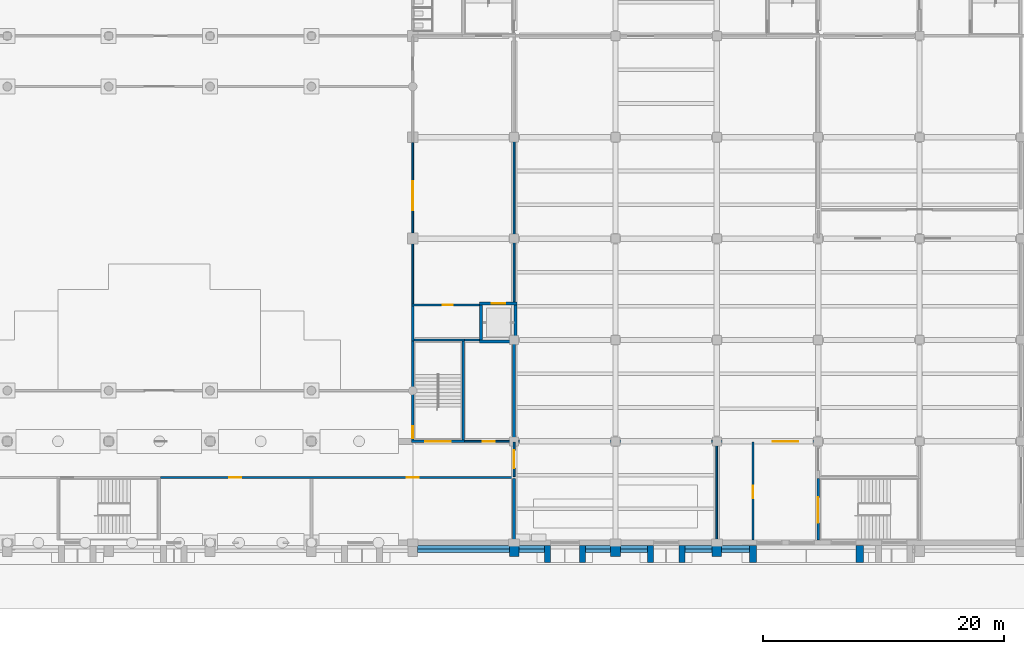
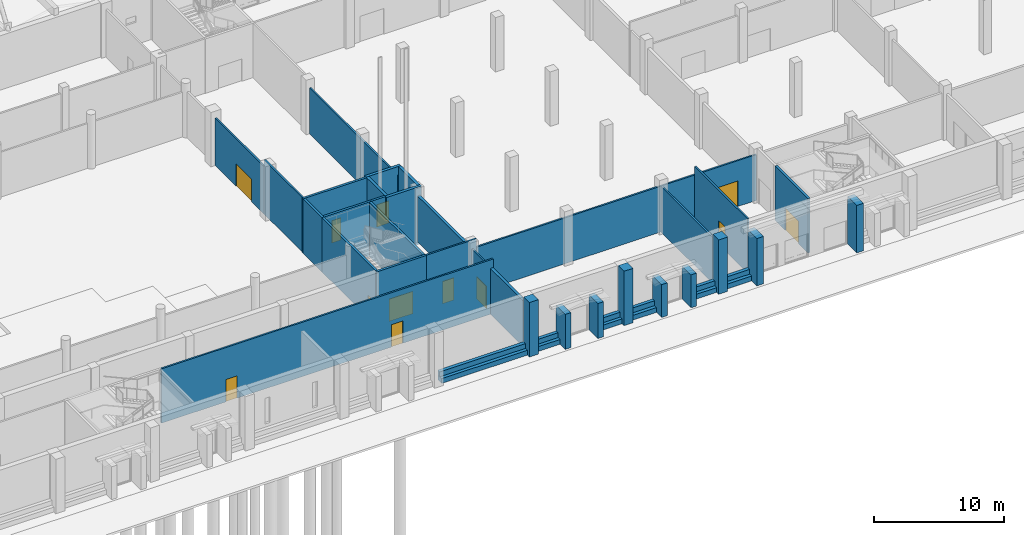
# One storey, part 29 of 74: 44 walls, 12 doors, 12 openings.
"""IFC4 building model written with IfcOpenShell, lengths in metres."""

from ifc_helpers import new_model, si_unit, direction, frame, frame_2d, origin, place, context, subcontext, project, spatial, rectangle, extrude, material, layer, layer_set, type_object, element, fill, save


model = new_model("IFC4")

# Units and contexts
model_context = context("Model", 3, precision=1e-05, world=origin(), true_north=direction((0.0, 1.0)))
body_context = subcontext(model_context, "Body", "Model", "MODEL_VIEW")
ifc_project = project(units=[si_unit("LENGTHUNIT", "METRE"), si_unit("AREAUNIT", "SQUARE_METRE"), si_unit("VOLUMEUNIT", "CUBIC_METRE"), si_unit("PLANEANGLEUNIT", "RADIAN"), si_unit("MASSUNIT", "GRAM", prefix="KILO")], contexts=[model_context])

# Site, building, storey
site_placement = place(None, origin())
site = spatial("IfcSite", under=ifc_project, at=site_placement, CompositionType="ELEMENT")
building_placement = place(site_placement, origin())
building = spatial("IfcBuilding", under=site, at=building_placement, Name="Rulbaag Community and Learning Centre", CompositionType="ELEMENT")
storey_placement = place(building_placement, origin())
storey = spatial("IfcBuildingStorey", under=building, at=storey_placement, Name="L00", CompositionType="ELEMENT", Elevation=0.0)

# Walls
ifc_material_1 = material(Name="Concrete M30", Category="concrete")
ifc_layer_1 = layer(ifc_material_1, 0.25)
ifc_layer_set_1 = layer_set([ifc_layer_1], Name="CW-250 COMPARTMENT WALL 250")
wall_type_1 = type_object("IfcWallType", Name="CW-250 COMPARTMENT WALL 250", PredefinedType="SOLIDWALL", material=ifc_layer_set_1)
wall_1_placement = place(storey_placement, frame((92.39990234375, 0.22509765625, 0.0), z_axis=(0.0, 0.0, 1.0), x_axis=(0.0, 1.0, 0.0)))
element("IfcWall", 1, at=wall_1_placement, inside=storey, type_object=wall_type_1, Name="Fire wall L00 78", PredefinedType="SOLIDWALL", context=body_context, shape_type="SweptSolid", body=[
    extrude(rectangle(XDim=5.099853515625, YDim=0.25, at=frame_2d((2.5498046875, 0.0))), origin(), (0.0, 0.0, 1.0), 4.300048828125),
])
wall_2_placement = place(storey_placement, frame((92.39990234375, 8.47509765625, 0.0), z_axis=(0.0, 0.0, 1.0), x_axis=(0.0, 1.0, 0.0)))
element("IfcWall", 2, at=wall_2_placement, inside=storey, type_object=wall_type_1, Name="Fire wall L00 80", PredefinedType="SOLIDWALL", context=body_context, shape_type="SweptSolid", body=[
    extrude(rectangle(XDim=8.324951171875, YDim=0.25, at=frame_2d((4.16259765625, 0.0))), origin(), (0.0, 0.0, 1.0), 4.300048828125),
])
ifc_material_2 = material(Name="Concrete M40", Category="concrete")
ifc_layer_2 = layer(ifc_material_2, 0.800048828125)
ifc_layer_set_2 = layer_set([ifc_layer_2], Name="EW-BTR")
wall_type_2 = type_object("IfcWallType", Name="EW-BTR", PredefinedType="SOLIDWALL", material=ifc_layer_set_2)
for number, where, z_axis, x_axis, name in (
    (3, (92.39990234375, -0.22509765625, 0.0), (0.0, 0.0, 1.0), (0.0, -1.0, 0.0), "Buttress pier"),
    (4, (100.800048828125, -0.22509765625, 0.0), (0.0, 0.0, 1.0), (0.0, -1.0, 0.0), "Buttress pier"),
    (5, (109.199951171875, -0.22509765625, 0.0), (0.0, 0.0, 1.0), (0.0, -1.0, 0.0), "Buttress pier"),
):
    element("IfcWall", number, at=place(storey_placement, frame(where, z_axis=z_axis, x_axis=x_axis)), inside=storey, type_object=wall_type_2, Name=name, PredefinedType="SOLIDWALL", context=body_context, shape_type="SweptSolid", body=[
        extrude(rectangle(XDim=0.89990234375, YDim=0.800048828125, at=frame_2d((0.449951171875, 0.0))), origin(), (0.0, 0.0, 1.0), 5.10009765625),
    ])
ifc_layer_3 = layer(ifc_material_2, 0.60009765625)
ifc_layer_set_3 = layer_set([ifc_layer_3], Name="EW-PJB10")
wall_type_3 = type_object("IfcWallType", Name="EW-PJB10", PredefinedType="SOLIDWALL", material=ifc_layer_set_3)
for number, where, z_axis, x_axis, name in (
    (6, (112.199951171875, -0.22509765625, 0.0), (0.0, 0.0, 1.0), (0.0, -1.0, 0.0), "Portal jamb"),
    (7, (121.050048828125, -0.22509765625, 0.0), (0.0, 0.0, 1.0), (0.0, -1.0, 0.0), "Portal jamb"),
):
    element("IfcWall", number, at=place(storey_placement, frame(where, z_axis=z_axis, x_axis=x_axis)), inside=storey, type_object=wall_type_3, Name=name, PredefinedType="SOLIDWALL", context=body_context, shape_type="SweptSolid", body=[
        extrude(rectangle(XDim=1.39990234375, YDim=0.60009765625, at=frame_2d((0.699951171875, 0.0))), origin(), (0.0, 0.0, 1.0), 4.449951171875),
    ])
ifc_layer_4 = layer(ifc_material_2, 0.5)
ifc_layer_set_4 = layer_set([ifc_layer_4], Name="EW-PJB5")
wall_type_4 = type_object("IfcWallType", Name="EW-PJB5", PredefinedType="SOLIDWALL", material=ifc_layer_set_4)
for number, where, z_axis, x_axis, name in (
    (8, (95.14990234375, -0.22509765625, 0.0), (0.0, 0.0, 1.0), (0.0, -1.0, 0.0), "Portal jamb"),
    (9, (98.050048828125, -0.22509765625, 0.0), (0.0, 0.0, 1.0), (0.0, -1.0, 0.0), "Portal jamb"),
):
    element("IfcWall", number, at=place(storey_placement, frame(where, z_axis=z_axis, x_axis=x_axis)), inside=storey, type_object=wall_type_4, Name=name, PredefinedType="SOLIDWALL", context=body_context, shape_type="SweptSolid", body=[
        extrude(rectangle(XDim=1.39990234375, YDim=0.5, at=frame_2d((0.699951171875, 0.0))), origin(), (0.0, 0.0, 1.0), 3.280029296875),
    ])
for number, where, z_axis, x_axis, name in (
    (10, (103.699951171875, -0.22509765625, 0.0), (0.0, 0.0, 1.0), (0.0, -1.0, 0.0), "Portal jamb"),
    (11, (106.300048828125, -0.22509765625, 0.0), (0.0, 0.0, 1.0), (0.0, -1.0, 0.0), "Portal jamb"),
):
    element("IfcWall", number, at=place(storey_placement, frame(where, z_axis=z_axis, x_axis=x_axis)), inside=storey, type_object=wall_type_4, Name=name, PredefinedType="SOLIDWALL", context=body_context, shape_type="SweptSolid", body=[
        extrude(rectangle(XDim=1.39990234375, YDim=0.5, at=frame_2d((0.699951171875, 0.0))), origin(), (0.0, 0.0, 1.0), 3.080078125),
    ])
ifc_layer_5 = layer(ifc_material_2, 0.60009765625)
ifc_layer_set_5 = layer_set([ifc_layer_5], Name="EW-PLN1")
wall_type_5 = type_object("IfcWallType", Name="EW-PLN1", PredefinedType="SOLIDWALL", material=ifc_layer_set_5)
wall_3_placement = place(storey_placement, frame((84.39990234375, -0.52490234375, 0.0), z_axis=(0.0, 0.0, 1.0), x_axis=(1.0, 0.0, 0.0)))
element("IfcWall", 12, at=wall_3_placement, inside=storey, type_object=wall_type_5, Name="Battered plinth", PredefinedType="SOLIDWALL", context=body_context, shape_type="SweptSolid", body=[
    extrude(rectangle(XDim=7.60009765625, YDim=0.60009765625, at=frame_2d((3.800048828125, 0.0))), origin(), (0.0, 0.0, 1.0), 0.449951171875),
])
for number, where, z_axis, x_axis, name in (
    (13, (92.800048828125, -0.52490234375, 0.0), (0.0, 0.0, 1.0), (1.0, 0.0, 0.0), "Battered plinth"),
    (14, (98.300048828125, -0.52490234375, 0.0), (0.0, 0.0, 1.0), (1.0, 0.0, 0.0), "Battered plinth"),
):
    element("IfcWall", number, at=place(storey_placement, frame(where, z_axis=z_axis, x_axis=x_axis)), inside=storey, type_object=wall_type_5, Name=name, PredefinedType="SOLIDWALL", context=body_context, shape_type="SweptSolid", body=[
        extrude(rectangle(XDim=2.099853515625, YDim=0.60009765625, at=frame_2d((1.0498046875, 0.0))), origin(), (0.0, 0.0, 1.0), 0.449951171875),
    ])
for number, where, z_axis, x_axis, name in (
    (15, (101.199951171875, -0.52490234375, 0.0), (0.0, 0.0, 1.0), (1.0, 0.0, 0.0), "Battered plinth"),
    (16, (106.550048828125, -0.52490234375, 0.0), (0.0, 0.0, 1.0), (1.0, 0.0, 0.0), "Battered plinth"),
):
    element("IfcWall", number, at=place(storey_placement, frame(where, z_axis=z_axis, x_axis=x_axis)), inside=storey, type_object=wall_type_5, Name=name, PredefinedType="SOLIDWALL", context=body_context, shape_type="SweptSolid", body=[
        extrude(rectangle(XDim=2.25, YDim=0.60009765625, at=frame_2d((1.125, 0.0))), origin(), (0.0, 0.0, 1.0), 0.449951171875),
    ])
wall_4_placement = place(storey_placement, frame((109.60009765625, -0.52490234375, 0.0), z_axis=(0.0, 0.0, 1.0), x_axis=(1.0, 0.0, 0.0)))
element("IfcWall", 17, at=wall_4_placement, inside=storey, type_object=wall_type_5, Name="Battered plinth", PredefinedType="SOLIDWALL", context=body_context, shape_type="SweptSolid", body=[
    extrude(rectangle(XDim=2.2998046875, YDim=0.60009765625, at=frame_2d((1.14990234375, 0.0))), origin(), (0.0, 0.0, 1.0), 0.449951171875),
])
ifc_layer_6 = layer(ifc_material_2, 0.300048828125)
ifc_layer_set_6 = layer_set([ifc_layer_6], Name="EW-PLN2")
wall_type_6 = type_object("IfcWallType", Name="EW-PLN2", PredefinedType="SOLIDWALL", material=ifc_layer_set_6)
wall_5_placement = place(storey_placement, frame((84.39990234375, -0.375, 0.449951171875), z_axis=(0.0, 0.0, 1.0), x_axis=(1.0, 0.0, 0.0)))
element("IfcWall", 18, at=wall_5_placement, inside=storey, type_object=wall_type_6, Name="Battered plinth", PredefinedType="SOLIDWALL", context=body_context, shape_type="SweptSolid", body=[
    extrude(rectangle(XDim=7.60009765625, YDim=0.300048828125, at=frame_2d((3.800048828125, 0.0))), origin(), (0.0, 0.0, 1.0), 0.449951171875),
])
for number, where, z_axis, x_axis, name in (
    (19, (92.800048828125, -0.375, 0.449951171875), (0.0, 0.0, 1.0), (1.0, 0.0, 0.0), "Battered plinth"),
    (20, (98.300048828125, -0.375, 0.449951171875), (0.0, 0.0, 1.0), (1.0, 0.0, 0.0), "Battered plinth"),
):
    element("IfcWall", number, at=place(storey_placement, frame(where, z_axis=z_axis, x_axis=x_axis)), inside=storey, type_object=wall_type_6, Name=name, PredefinedType="SOLIDWALL", context=body_context, shape_type="SweptSolid", body=[
        extrude(rectangle(XDim=2.099853515625, YDim=0.300048828125, at=frame_2d((1.0498046875, 0.0))), origin(), (0.0, 0.0, 1.0), 0.449951171875),
    ])
for number, where, z_axis, x_axis, name in (
    (21, (101.199951171875, -0.375, 0.449951171875), (0.0, 0.0, 1.0), (1.0, 0.0, 0.0), "Battered plinth"),
    (22, (106.550048828125, -0.375, 0.449951171875), (0.0, 0.0, 1.0), (1.0, 0.0, 0.0), "Battered plinth"),
):
    element("IfcWall", number, at=place(storey_placement, frame(where, z_axis=z_axis, x_axis=x_axis)), inside=storey, type_object=wall_type_6, Name=name, PredefinedType="SOLIDWALL", context=body_context, shape_type="SweptSolid", body=[
        extrude(rectangle(XDim=2.25, YDim=0.300048828125, at=frame_2d((1.125, 0.0))), origin(), (0.0, 0.0, 1.0), 0.449951171875),
    ])
wall_6_placement = place(storey_placement, frame((109.60009765625, -0.375, 0.449951171875), z_axis=(0.0, 0.0, 1.0), x_axis=(1.0, 0.0, 0.0)))
element("IfcWall", 23, at=wall_6_placement, inside=storey, type_object=wall_type_6, Name="Battered plinth", PredefinedType="SOLIDWALL", context=body_context, shape_type="SweptSolid", body=[
    extrude(rectangle(XDim=2.2998046875, YDim=0.300048828125, at=frame_2d((1.14990234375, 0.0))), origin(), (0.0, 0.0, 1.0), 0.449951171875),
])
ifc_material_3 = material(Name="Concrete blockwork", Category="masonry")
ifc_layer_7 = layer(ifc_material_3, 0.199951171875)
ifc_layer_set_7 = layer_set([ifc_layer_7], Name="FW-200 FIRE WALL 200")
wall_type_7 = type_object("IfcWallType", Name="FW-200 FIRE WALL 200", PredefinedType="SOLIDWALL", material=ifc_layer_set_7)
wall_7_placement = place(storey_placement, frame((88.300048828125, 16.800048828125, 0.0), z_axis=(0.0, 0.0, 1.0), x_axis=(1.0, 0.0, 0.0)))
element("IfcWall", 24, at=wall_7_placement, inside=storey, type_object=wall_type_7, Name="Fire wall L00 12", PredefinedType="SOLIDWALL", context=body_context, shape_type="SweptSolid", body=[
    extrude(rectangle(XDim=1.25, YDim=0.199951171875, at=frame_2d((0.625, 0.0))), origin(), (0.0, 0.0, 1.0), 5.10009765625),
])

# Wall, opening, door
wall_8_placement = place(storey_placement, frame((83.89990234375, 19.699951171875, 0.0), z_axis=(0.0, 0.0, 1.0), x_axis=(1.0, 0.0, 0.0)))
wall_8 = element("IfcWall", 25, at=wall_8_placement, inside=storey, type_object=wall_type_7, Name="Fire wall L00 15", PredefinedType="SOLIDWALL", context=body_context, shape_type="SweptSolid", body=[
    extrude(rectangle(XDim=5.650146484375, YDim=0.199951171875, at=frame_2d((2.8251953125, 0.0))), origin(), (0.0, 0.0, 1.0), 5.10009765625),
])
opening_1_placement = place(wall_8_placement, frame((2.60009765625, 0.0, 0.0)))
opening_1 = element("IfcOpeningElement", 26, at=opening_1_placement, cuts=wall_8, Name="Opening L00-D085", PredefinedType="OPENING", context=body_context, shape_type="SweptSolid", body=[
    extrude(rectangle(XDim=0.800048828125, YDim=2.10009765625, at=frame_2d((0.39990234375, 1.050048828125))), frame((0.0, 0.10986328125, 0.0), z_axis=(0.0, -1.0, 0.0), x_axis=(1.0, 0.0, 0.0)), (0.0, 0.0, 1.0), 0.219970703125),
])
ifc_material_4 = material(Name="Galvanised steel", Category="steel")
door_type_1 = type_object("IfcDoorType", Name="FDR-800 RISER FIRE DOOR 800 x 2100", OperationType="SINGLE_SWING_LEFT", PredefinedType="DOOR", material=ifc_material_4)
door_1_placement = place(opening_1_placement, origin())
door_1 = element("IfcDoor", 27, at=door_1_placement, inside=storey, type_object=door_type_1, Name="Riser door L00-D048", OperationType="SINGLE_SWING_RIGHT", OverallHeight=2.10009765625, OverallWidth=0.800048828125, PredefinedType="DOOR", context=body_context, shape_type="SweptSolid", body=[
    extrude(rectangle(XDim=0.800048828125, YDim=2.10009765625, at=frame_2d((0.39990234375, 1.050048828125))), frame((0.0, 0.02490234375, 0.0), z_axis=(0.0, -1.0, 0.0), x_axis=(1.0, 0.0, 0.0)), (0.0, 0.0, 1.0), 0.050048828125),
])
fill(opening_1, door_1)

# Wall
wall_9_placement = place(storey_placement, frame((84.0, 16.699951171875, 0.0), z_axis=(0.0, 0.0, 1.0), x_axis=(0.0, 1.0, 0.0)))
element("IfcWall", 28, at=wall_9_placement, inside=storey, type_object=wall_type_7, Name="Fire wall L00 73", PredefinedType="SOLIDWALL", context=body_context, shape_type="SweptSolid", body=[
    extrude(rectangle(XDim=2.900146484375, YDim=0.199951171875, at=frame_2d((1.4501953125, 0.0))), origin(), (0.0, 0.0, 1.0), 5.10009765625),
])

# Wall, openings, doors
ifc_layer_8 = layer(ifc_material_3, 0.14990234375)
ifc_layer_set_8 = layer_set([ifc_layer_8], Name="IP-150 PARTITION 150")
wall_type_8 = type_object("IfcWallType", Name="IP-150 PARTITION 150", PredefinedType="PARTITIONING", material=ifc_layer_set_8)
wall_10_placement = place(storey_placement, frame((63.10009765625, 5.39990234375, 0.0), z_axis=(0.0, 0.0, 1.0), x_axis=(1.0, 0.0, 0.0)))
wall_10 = element("IfcWall", 29, at=wall_10_placement, inside=storey, type_object=wall_type_8, Name="Partition L00 4", PredefinedType="PARTITIONING", context=body_context, shape_type="SweptSolid", body=[
    extrude(rectangle(XDim=29.4248046875, YDim=0.14990234375, at=frame_2d((14.71240234375, 0.0))), origin(), (0.0, 0.0, 1.0), 5.10009765625),
])
opening_2_placement = place(wall_10_placement, frame((5.699951171875, 0.0, 0.0)))
opening_2 = element("IfcOpeningElement", 30, at=opening_2_placement, cuts=wall_10, Name="Opening L00-D074", PredefinedType="OPENING", context=body_context, shape_type="SweptSolid", body=[
    extrude(rectangle(XDim=1.0, YDim=2.10009765625, at=frame_2d((0.5, 1.050048828125))), frame((0.0, 0.0849609375, 0.0), z_axis=(0.0, -1.0, 0.0), x_axis=(1.0, 0.0, 0.0)), (0.0, 0.0, 1.0), 0.169921875),
])
opening_3_placement = place(wall_10_placement, frame((20.39990234375, 0.0, 0.0)))
opening_3 = element("IfcOpeningElement", 31, at=opening_3_placement, cuts=wall_10, Name="Opening L00-D076", PredefinedType="OPENING", context=body_context, shape_type="SweptSolid", body=[
    extrude(rectangle(XDim=1.0, YDim=2.10009765625, at=frame_2d((0.5, 1.050048828125))), frame((0.0, 0.0849609375, 0.0), z_axis=(0.0, -1.0, 0.0), x_axis=(1.0, 0.0, 0.0)), (0.0, 0.0, 1.0), 0.169921875),
])
ifc_material_5 = material(Name="Timber", Category="wood")
door_type_2 = type_object("IfcDoorType", Name="D-1000 DOOR 1000 x 2100", OperationType="SINGLE_SWING_LEFT", PredefinedType="DOOR", material=ifc_material_5)
door_2_placement = place(opening_2_placement, origin())
door_2 = element("IfcDoor", 32, at=door_2_placement, inside=storey, type_object=door_type_2, Name="Door L00-D074", OperationType="SINGLE_SWING_LEFT", OverallHeight=2.10009765625, OverallWidth=1.0, PredefinedType="DOOR", context=body_context, shape_type="SweptSolid", body=[
    extrude(rectangle(XDim=1.0, YDim=2.10009765625, at=frame_2d((0.5, 1.050048828125))), frame((0.0, 0.02490234375, 0.0), z_axis=(0.0, -1.0, 0.0), x_axis=(1.0, 0.0, 0.0)), (0.0, 0.0, 1.0), 0.050048828125),
])
fill(opening_2, door_2)
door_3_placement = place(opening_3_placement, origin())
door_3 = element("IfcDoor", 33, at=door_3_placement, inside=storey, type_object=door_type_2, Name="Door L00-D076", OperationType="SINGLE_SWING_RIGHT", OverallHeight=2.10009765625, OverallWidth=1.0, PredefinedType="DOOR", context=body_context, shape_type="SweptSolid", body=[
    extrude(rectangle(XDim=1.0, YDim=2.10009765625, at=frame_2d((0.5, 1.050048828125))), frame((0.0, 0.02490234375, 0.0), z_axis=(0.0, -1.0, 0.0), x_axis=(1.0, 0.0, 0.0)), (0.0, 0.0, 1.0), 0.050048828125),
])
fill(opening_3, door_3)

# Wall, opening, door
wall_11_placement = place(storey_placement, frame((88.300048828125, 8.39990234375, 0.0), z_axis=(0.0, 0.0, 1.0), x_axis=(1.0, 0.0, 0.0)))
wall_11 = element("IfcWall", 34, at=wall_11_placement, inside=storey, type_object=wall_type_8, Name="Partition L00 6", PredefinedType="PARTITIONING", context=body_context, shape_type="SweptSolid", body=[
    extrude(rectangle(XDim=4.454833984375, YDim=0.14990234375, at=frame_2d((2.2275390625, 0.0))), origin(), (0.0, 0.0, 1.0), 5.10009765625),
])
opening_4_placement = place(wall_11_placement, frame((1.5, 0.0, 0.0)))
opening_4 = element("IfcOpeningElement", 35, at=opening_4_placement, cuts=wall_11, Name="Opening L00-D086", PredefinedType="OPENING", context=body_context, shape_type="SweptSolid", body=[
    extrude(rectangle(XDim=1.0, YDim=2.10009765625, at=frame_2d((0.5, 1.050048828125))), frame((0.0, 0.0849609375, 0.0), z_axis=(0.0, -1.0, 0.0), x_axis=(1.0, 0.0, 0.0)), (0.0, 0.0, 1.0), 0.169921875),
])
door_4_placement = place(opening_4_placement, origin())
door_4 = element("IfcDoor", 36, at=door_4_placement, inside=storey, type_object=door_type_2, Name="Door L00-D086", OperationType="SINGLE_SWING_RIGHT", OverallHeight=2.10009765625, OverallWidth=1.0, PredefinedType="DOOR", context=body_context, shape_type="SweptSolid", body=[
    extrude(rectangle(XDim=1.0, YDim=2.10009765625, at=frame_2d((0.5, 1.050048828125))), frame((0.0, 0.02490234375, 0.0), z_axis=(0.0, -1.0, 0.0), x_axis=(1.0, 0.0, 0.0)), (0.0, 0.0, 1.0), 0.050048828125),
])
fill(opening_4, door_4)

wall_12_placement = place(storey_placement, frame((92.7548828125, 8.39990234375, 0.0), z_axis=(0.0, 0.0, 1.0), x_axis=(1.0, 0.0, 0.0)))
wall_12 = element("IfcWall", 37, at=wall_12_placement, inside=storey, type_object=wall_type_8, Name="Partition L00 6.2", PredefinedType="PARTITIONING", context=body_context, shape_type="SweptSolid", body=[
    extrude(rectangle(XDim=24.84521484375, YDim=0.14990234375, at=frame_2d((12.422607421875, 0.0))), origin(), (0.0, 0.0, 1.0), 4.300048828125),
])
opening_5_placement = place(wall_12_placement, frame((21.094970703125, 0.0, 0.0)))
opening_5 = element("IfcOpeningElement", 38, at=opening_5_placement, cuts=wall_12, Name="Opening L00-D099", PredefinedType="OPENING", context=body_context, shape_type="SweptSolid", body=[
    extrude(rectangle(XDim=2.10009765625, YDim=2.39990234375, at=frame_2d((1.050048828125, 1.199951171875))), frame((0.0, 0.0849609375, 0.0), z_axis=(0.0, -1.0, 0.0), x_axis=(1.0, 0.0, 0.0)), (0.0, 0.0, 1.0), 0.169921875),
])
door_type_3 = type_object("IfcDoorType", Name="D-2100 DINING HALL EXIT DOOR PAIR 2100 x 2400", OperationType="DOUBLE_DOOR_SINGLE_SWING", PredefinedType="DOOR", material=ifc_material_5)
door_5_placement = place(opening_5_placement, origin())
door_5 = element("IfcDoor", 39, at=door_5_placement, inside=storey, type_object=door_type_3, Name="Door L00-D099", OperationType="DOUBLE_DOOR_SINGLE_SWING", OverallHeight=2.39990234375, OverallWidth=2.10009765625, PredefinedType="DOOR", context=body_context, shape_type="SweptSolid", body=[
    extrude(rectangle(XDim=2.10009765625, YDim=2.39990234375, at=frame_2d((1.050048828125, 1.199951171875))), frame((0.0, 0.02490234375, 0.0), z_axis=(0.0, -1.0, 0.0), x_axis=(1.0, 0.0, 0.0)), (0.0, 0.0, 1.0), 0.050048828125),
])
fill(opening_5, door_5)

# Wall
wall_13_placement = place(storey_placement, frame((84.0, 19.800048828125, 0.0), z_axis=(0.0, 0.0, 1.0), x_axis=(0.0, 1.0, 0.0)))
element("IfcWall", 40, at=wall_13_placement, inside=storey, type_object=wall_type_8, Name="Partition L00 74", PredefinedType="PARTITIONING", context=body_context, shape_type="SweptSolid", body=[
    extrude(rectangle(XDim=5.829833984375, YDim=0.14990234375, at=frame_2d((2.9150390625, 0.0))), origin(), (0.0, 0.0, 1.0), 5.10009765625),
])

# Wall, opening, door
wall_14_placement = place(storey_placement, frame((84.0, 25.6298828125, 0.0), z_axis=(0.0, 0.0, 1.0), x_axis=(0.0, 1.0, 0.0)))
wall_14 = element("IfcWall", 41, at=wall_14_placement, inside=storey, type_object=wall_type_8, Name="Partition L00 74.2", PredefinedType="PARTITIONING", context=body_context, shape_type="SweptSolid", body=[
    extrude(rectangle(XDim=7.5400390625, YDim=0.14990234375, at=frame_2d((3.77001953125, 0.0))), origin(), (0.0, 0.0, 1.0), 4.449951171875),
])
opening_6_placement = place(wall_14_placement, frame((1.919921875, 0.0, 0.0)))
opening_6 = element("IfcOpeningElement", 42, at=opening_6_placement, cuts=wall_14, Name="Opening L00-D078", PredefinedType="OPENING", context=body_context, shape_type="SweptSolid", body=[
    extrude(rectangle(XDim=2.39990234375, YDim=2.10009765625, at=frame_2d((1.199951171875, 1.050048828125))), frame((0.0, 0.0849609375, 0.0), z_axis=(0.0, -1.0, 0.0), x_axis=(1.0, 0.0, 0.0)), (0.0, 0.0, 1.0), 0.169921875),
])
door_type_4 = type_object("IfcDoorType", Name="DA-2400 ASSEMBLY DOUBLE DOOR 2400 x 2100", OperationType="DOUBLE_DOOR_SINGLE_SWING", PredefinedType="DOOR", material=ifc_material_5)
door_6_placement = place(opening_6_placement, origin())
door_6 = element("IfcDoor", 43, at=door_6_placement, inside=storey, type_object=door_type_4, Name="Door L00-D078", OperationType="DOUBLE_DOOR_SINGLE_SWING", OverallHeight=2.10009765625, OverallWidth=2.39990234375, PredefinedType="DOOR", context=body_context, shape_type="SweptSolid", body=[
    extrude(rectangle(XDim=2.39990234375, YDim=2.10009765625, at=frame_2d((1.199951171875, 1.050048828125))), frame((0.0, 0.02490234375, 0.0), z_axis=(0.0, -1.0, 0.0), x_axis=(1.0, 0.0, 0.0)), (0.0, 0.0, 1.0), 0.050048828125),
])
fill(opening_6, door_6)

wall_15_placement = place(storey_placement, frame((92.39990234375, 5.47509765625, 0.0), z_axis=(0.0, 0.0, 1.0), x_axis=(0.0, 1.0, 0.0)))
wall_15 = element("IfcWall", 44, at=wall_15_placement, inside=storey, type_object=wall_type_8, Name="Partition L00 79", PredefinedType="PARTITIONING", context=body_context, shape_type="SweptSolid", body=[
    extrude(rectangle(XDim=2.849853515625, YDim=0.14990234375, at=frame_2d((1.4248046875, 0.0))), origin(), (0.0, 0.0, 1.0), 4.300048828125),
])
opening_7_placement = place(wall_15_placement, frame((0.675048828125, 0.0, 0.0)))
opening_7 = element("IfcOpeningElement", 45, at=opening_7_placement, cuts=wall_15, Name="Opening L00-D089", PredefinedType="OPENING", context=body_context, shape_type="SweptSolid", body=[
    extrude(rectangle(XDim=1.5, YDim=2.10009765625, at=frame_2d((0.75, 1.050048828125))), frame((0.0, 0.0849609375, 0.0), z_axis=(0.0, -1.0, 0.0), x_axis=(1.0, 0.0, 0.0)), (0.0, 0.0, 1.0), 0.169921875),
])
door_type_5 = type_object("IfcDoorType", Name="DK-1500 KITCHEN AND SERVICE DOOR 1500 x 2100", OperationType="DOUBLE_DOOR_SINGLE_SWING", PredefinedType="DOOR", material=ifc_material_5)
door_7_placement = place(opening_7_placement, origin())
door_7 = element("IfcDoor", 46, at=door_7_placement, inside=storey, type_object=door_type_5, Name="Door L00-D089", OperationType="DOUBLE_DOOR_SINGLE_SWING", OverallHeight=2.10009765625, OverallWidth=1.5, PredefinedType="DOOR", context=body_context, shape_type="SweptSolid", body=[
    extrude(rectangle(XDim=1.5, YDim=2.10009765625, at=frame_2d((0.75, 1.050048828125))), frame((0.0, 0.02490234375, 0.0), z_axis=(0.0, -1.0, 0.0), x_axis=(1.0, 0.0, 0.0)), (0.0, 0.0, 1.0), 0.050048828125),
])
fill(opening_7, door_7)

# Walls
wall_16_placement = place(storey_placement, frame((92.39990234375, 19.699951171875, 0.0), z_axis=(0.0, 0.0, 1.0), x_axis=(0.0, 1.0, 0.0)))
element("IfcWall", 47, at=wall_16_placement, inside=storey, type_object=wall_type_8, Name="Partition L00 81", PredefinedType="PARTITIONING", context=body_context, shape_type="SweptSolid", body=[
    extrude(rectangle(XDim=13.545166015625, YDim=0.14990234375, at=frame_2d((6.7724609375, 0.0))), origin(), (0.0, 0.0, 1.0), 4.300048828125),
])
wall_17_placement = place(storey_placement, frame((109.199951171875, 0.22509765625, 0.0), z_axis=(0.0, 0.0, 1.0), x_axis=(0.0, 1.0, 0.0)))
element("IfcWall", 48, at=wall_17_placement, inside=storey, type_object=wall_type_8, Name="Partition L00 83", PredefinedType="PARTITIONING", context=body_context, shape_type="SweptSolid", body=[
    extrude(rectangle(XDim=8.099853515625, YDim=0.14990234375, at=frame_2d((4.0498046875, 0.0))), origin(), (0.0, 0.0, 1.0), 4.300048828125),
])

# Wall, opening, door
wall_18_placement = place(storey_placement, frame((112.199951171875, 0.22509765625, 0.0), z_axis=(0.0, 0.0, 1.0), x_axis=(0.0, 1.0, 0.0)))
wall_18 = element("IfcWall", 49, at=wall_18_placement, inside=storey, type_object=wall_type_8, Name="Partition L00 84", PredefinedType="PARTITIONING", context=body_context, shape_type="SweptSolid", body=[
    extrude(rectangle(XDim=8.099853515625, YDim=0.14990234375, at=frame_2d((4.0498046875, 0.0))), origin(), (0.0, 0.0, 1.0), 5.10009765625),
])
opening_8_placement = place(wall_18_placement, frame((3.47509765625, 0.0, 0.0)))
opening_8 = element("IfcOpeningElement", 50, at=opening_8_placement, cuts=wall_18, Name="Opening L00-D096", PredefinedType="OPENING", context=body_context, shape_type="SweptSolid", body=[
    extrude(rectangle(XDim=1.0, YDim=2.25, at=frame_2d((0.5, 1.125))), frame((0.0, 0.0849609375, 0.0), z_axis=(0.0, -1.0, 0.0), x_axis=(1.0, 0.0, 0.0)), (0.0, 0.0, 1.0), 0.169921875),
])
door_type_6 = type_object("IfcDoorType", Name="D-1000 KITCHEN STORE AND COLD ROOM DOOR 1000 x 2250", OperationType="SINGLE_SWING_LEFT", PredefinedType="DOOR", material=ifc_material_5)
door_8_placement = place(opening_8_placement, origin())
door_8 = element("IfcDoor", 51, at=door_8_placement, inside=storey, type_object=door_type_6, Name="Door L00-D096", OperationType="SINGLE_SWING_RIGHT", OverallHeight=2.25, OverallWidth=1.0, PredefinedType="DOOR", context=body_context, shape_type="SweptSolid", body=[
    extrude(rectangle(XDim=1.0, YDim=2.25, at=frame_2d((0.5, 1.125))), frame((0.0, 0.02490234375, 0.0), z_axis=(0.0, -1.0, 0.0), x_axis=(1.0, 0.0, 0.0)), (0.0, 0.0, 1.0), 0.050048828125),
])
fill(opening_8, door_8)

# Wall
ifc_layer_9 = layer(ifc_material_2, 0.25)
ifc_layer_set_9 = layer_set([ifc_layer_9], Name="W8 Lift shaft wall 250 Concrete M40")
wall_type_9 = type_object("IfcWallType", Name="W8 Lift shaft wall 250 Concrete M40", PredefinedType="SHEAR", material=ifc_layer_set_9)
wall_19_placement = place(storey_placement, frame((89.550048828125, 16.675048828125, -0.300048828125), z_axis=(0.0, 0.0, 1.0), x_axis=(1.0, 0.0, 0.0)))
element("IfcWall", 52, at=wall_19_placement, inside=storey, type_object=wall_type_9, Name="WL-LH2-S-L00", PredefinedType="SHEAR", context=body_context, shape_type="SweptSolid", body=[
    extrude(rectangle(XDim=3.099853515625, YDim=0.25, at=frame_2d((1.5498046875, 0.0))), origin(), (0.0, 0.0, 1.0), 5.400146484375),
])

# Wall, opening, door
wall_20_placement = place(storey_placement, frame((89.550048828125, 19.824951171875, -0.300048828125), z_axis=(0.0, 0.0, 1.0), x_axis=(1.0, 0.0, 0.0)))
wall_20 = element("IfcWall", 53, at=wall_20_placement, inside=storey, type_object=wall_type_9, Name="WL-LH2-N-L00", PredefinedType="SHEAR", context=body_context, shape_type="SweptSolid", body=[
    extrude(rectangle(XDim=3.099853515625, YDim=0.25, at=frame_2d((1.5498046875, 0.0))), origin(), (0.0, 0.0, 1.0), 5.400146484375),
])
opening_9_placement = place(wall_20_placement, frame((1.0, 0.0, 0.300048828125)))
opening_9 = element("IfcOpeningElement", 54, at=opening_9_placement, cuts=wall_20, Name="Opening L00-D088", PredefinedType="OPENING", context=body_context, shape_type="SweptSolid", body=[
    extrude(rectangle(XDim=1.10009765625, YDim=2.10009765625, at=frame_2d((0.550048828125, 1.050048828125))), frame((0.0, 0.135009765625, 0.0), z_axis=(0.0, -1.0, 0.0), x_axis=(1.0, 0.0, 0.0)), (0.0, 0.0, 1.0), 0.27001953125),
])
ifc_material_6 = material(Name="Stainless steel grade 304", Category="steel")
door_type_7 = type_object("IfcDoorType", Name="LD-1100 LIFT LANDING DOOR 1100 x 2100", OperationType="SLIDING_TO_LEFT", PredefinedType="DOOR", material=ifc_material_6)
door_9_placement = place(opening_9_placement, origin())
door_9 = element("IfcDoor", 55, at=door_9_placement, inside=storey, type_object=door_type_7, Name="Lift landing door LH2 L00", OperationType="SLIDING_TO_LEFT", OverallHeight=2.10009765625, OverallWidth=1.10009765625, PredefinedType="DOOR", context=body_context, shape_type="SweptSolid", body=[
    extrude(rectangle(XDim=1.10009765625, YDim=2.10009765625, at=frame_2d((0.550048828125, 1.050048828125))), frame((0.0, 0.02490234375, 0.0), z_axis=(0.0, -1.0, 0.0), x_axis=(1.0, 0.0, 0.0)), (0.0, 0.0, 1.0), 0.050048828125),
])
fill(opening_9, door_9)

# Walls
for number, where, z_axis, x_axis, name in (
    (56, (89.675048828125, 16.800048828125, -0.300048828125), (0.0, 0.0, 1.0), (0.0, 1.0, 0.0), "WL-LH2-W-L00"),
    (57, (92.52490234375, 16.800048828125, -0.300048828125), (0.0, 0.0, 1.0), (0.0, 1.0, 0.0), "WL-LH2-E-L00"),
):
    element("IfcWall", number, at=place(storey_placement, frame(where, z_axis=z_axis, x_axis=x_axis)), inside=storey, type_object=wall_type_9, Name=name, PredefinedType="SHEAR", context=body_context, shape_type="SweptSolid", body=[
        extrude(rectangle(XDim=2.89990234375, YDim=0.25, at=frame_2d((1.449951171875, 0.0))), origin(), (0.0, 0.0, 1.0), 5.400146484375),
    ])

# Wall, opening, door
ifc_layer_10 = layer(ifc_material_2, 0.199951171875)
ifc_layer_set_10 = layer_set([ifc_layer_10], Name="WSE Stair enclosure wall 200 Concrete M40")
wall_type_10 = type_object("IfcWallType", Name="WSE Stair enclosure wall 200 Concrete M40", PredefinedType="SHEAR", material=ifc_layer_set_10)
wall_21_placement = place(storey_placement, frame((83.89990234375, 8.39990234375, 0.0), z_axis=(0.0, 0.0, 1.0), x_axis=(1.0, 0.0, 0.0)))
wall_21 = element("IfcWall", 58, at=wall_21_placement, inside=storey, type_object=wall_type_10, Name="Stair enclosure wall SH2 S L00", PredefinedType="SHEAR", context=body_context, shape_type="SweptSolid", body=[
    extrude(rectangle(XDim=4.400146484375, YDim=0.199951171875, at=frame_2d((2.2001953125, 0.0))), origin(), (0.0, 0.0, 1.0), 5.10009765625),
])
opening_10_placement = place(wall_21_placement, frame((1.14990234375, 0.0, 0.0)))
opening_10 = element("IfcOpeningElement", 59, at=opening_10_placement, cuts=wall_21, Name="Opening L00-D084", PredefinedType="OPENING", context=body_context, shape_type="SweptSolid", body=[
    extrude(rectangle(XDim=2.10009765625, YDim=2.10009765625, at=frame_2d((1.050048828125, 1.050048828125))), frame((0.0, 0.10986328125, 0.0), z_axis=(0.0, -1.0, 0.0), x_axis=(1.0, 0.0, 0.0)), (0.0, 0.0, 1.0), 0.219970703125),
])
door_type_8 = type_object("IfcDoorType", Name="FD-2100 FIRE DOOR 2100 x 2100", OperationType="DOUBLE_DOOR_SINGLE_SWING", PredefinedType="DOOR", material=ifc_material_4)
door_10_placement = place(opening_10_placement, origin())
door_10 = element("IfcDoor", 60, at=door_10_placement, inside=storey, type_object=door_type_8, Name="Door L00-D084", OperationType="DOUBLE_DOOR_SINGLE_SWING", OverallHeight=2.10009765625, OverallWidth=2.10009765625, PredefinedType="DOOR", context=body_context, shape_type="SweptSolid", body=[
    extrude(rectangle(XDim=2.10009765625, YDim=2.10009765625, at=frame_2d((1.050048828125, 1.050048828125))), frame((0.0, 0.02490234375, 0.0), z_axis=(0.0, -1.0, 0.0), x_axis=(1.0, 0.0, 0.0)), (0.0, 0.0, 1.0), 0.050048828125),
])
fill(opening_10, door_10)

# Wall
wall_22_placement = place(storey_placement, frame((83.89990234375, 16.800048828125, 0.0), z_axis=(0.0, 0.0, 1.0), x_axis=(1.0, 0.0, 0.0)))
element("IfcWall", 61, at=wall_22_placement, inside=storey, type_object=wall_type_10, Name="Stair enclosure wall SH2 N L00", PredefinedType="SHEAR", context=body_context, shape_type="SweptSolid", body=[
    extrude(rectangle(XDim=4.400146484375, YDim=0.199951171875, at=frame_2d((2.2001953125, 0.0))), origin(), (0.0, 0.0, 1.0), 5.10009765625),
])

# Wall, opening, door
wall_23_placement = place(storey_placement, frame((84.0, 8.5, 0.0), z_axis=(0.0, 0.0, 1.0), x_axis=(0.0, 1.0, 0.0)))
wall_23 = element("IfcWall", 62, at=wall_23_placement, inside=storey, type_object=wall_type_10, Name="Stair enclosure wall SH2 W L00", PredefinedType="SHEAR", context=body_context, shape_type="SweptSolid", body=[
    extrude(rectangle(XDim=8.199951171875, YDim=0.199951171875, at=frame_2d((4.10009765625, 0.0))), origin(), (0.0, 0.0, 1.0), 5.10009765625),
])
opening_11_placement = place(wall_23_placement, frame((0.14990234375, 0.0, 0.0)))
opening_11 = element("IfcOpeningElement", 63, at=opening_11_placement, cuts=wall_23, Name="Opening L00-D077", PredefinedType="OPENING", context=body_context, shape_type="SweptSolid", body=[
    extrude(rectangle(XDim=1.0, YDim=2.10009765625, at=frame_2d((0.5, 1.050048828125))), frame((0.0, 0.10986328125, 0.0), z_axis=(0.0, -1.0, 0.0), x_axis=(1.0, 0.0, 0.0)), (0.0, 0.0, 1.0), 0.219970703125),
])
door_type_9 = type_object("IfcDoorType", Name="FD-1000 FIRE DOOR 1000 x 2100", OperationType="SINGLE_SWING_LEFT", PredefinedType="DOOR", material=ifc_material_4)
door_11_placement = place(opening_11_placement, origin())
door_11 = element("IfcDoor", 64, at=door_11_placement, inside=storey, type_object=door_type_9, Name="Door L00-D077", OperationType="SINGLE_SWING_LEFT", OverallHeight=2.10009765625, OverallWidth=1.0, PredefinedType="DOOR", context=body_context, shape_type="SweptSolid", body=[
    extrude(rectangle(XDim=1.0, YDim=2.10009765625, at=frame_2d((0.5, 1.050048828125))), frame((0.0, 0.02490234375, 0.0), z_axis=(0.0, -1.0, 0.0), x_axis=(1.0, 0.0, 0.0)), (0.0, 0.0, 1.0), 0.050048828125),
])
fill(opening_11, door_11)

# Wall
wall_24_placement = place(storey_placement, frame((88.199951171875, 8.5, 0.0), z_axis=(0.0, 0.0, 1.0), x_axis=(0.0, 1.0, 0.0)))
element("IfcWall", 65, at=wall_24_placement, inside=storey, type_object=wall_type_10, Name="Stair enclosure wall SH2 E L00", PredefinedType="SHEAR", context=body_context, shape_type="SweptSolid", body=[
    extrude(rectangle(XDim=8.199951171875, YDim=0.199951171875, at=frame_2d((4.10009765625, 0.0))), origin(), (0.0, 0.0, 1.0), 5.10009765625),
])

# Wall, opening, door
wall_25_placement = place(storey_placement, frame((117.60009765625, 0.22509765625, 0.0), z_axis=(0.0, 0.0, 1.0), x_axis=(0.0, 1.0, 0.0)))
wall_25 = element("IfcWall", 66, at=wall_25_placement, inside=storey, type_object=wall_type_10, Name="Stair enclosure wall SH11 W L00", PredefinedType="SHEAR", context=body_context, shape_type="SweptSolid", body=[
    extrude(rectangle(XDim=5.074951171875, YDim=0.199951171875, at=frame_2d((2.53759765625, 0.0))), origin(), (0.0, 0.0, 1.0), 5.10009765625),
])
opening_12_placement = place(wall_25_placement, frame((1.425048828125, 0.0, 0.0)))
opening_12 = element("IfcOpeningElement", 67, at=opening_12_placement, cuts=wall_25, Name="Opening L00-D101", PredefinedType="OPENING", context=body_context, shape_type="SweptSolid", body=[
    extrude(rectangle(XDim=2.10009765625, YDim=2.10009765625, at=frame_2d((1.050048828125, 1.050048828125))), frame((0.0, 0.10986328125, 0.0), z_axis=(0.0, -1.0, 0.0), x_axis=(1.0, 0.0, 0.0)), (0.0, 0.0, 1.0), 0.219970703125),
])
door_12_placement = place(opening_12_placement, origin())
door_12 = element("IfcDoor", 68, at=door_12_placement, inside=storey, type_object=door_type_8, Name="Door L00-D101", OperationType="DOUBLE_DOOR_SINGLE_SWING", OverallHeight=2.10009765625, OverallWidth=2.10009765625, PredefinedType="DOOR", context=body_context, shape_type="SweptSolid", body=[
    extrude(rectangle(XDim=2.10009765625, YDim=2.10009765625, at=frame_2d((1.050048828125, 1.050048828125))), frame((0.0, 0.02490234375, 0.0), z_axis=(0.0, -1.0, 0.0), x_axis=(1.0, 0.0, 0.0)), (0.0, 0.0, 1.0), 0.050048828125),
])
fill(opening_12, door_12)

save(model, "model.ifc")
